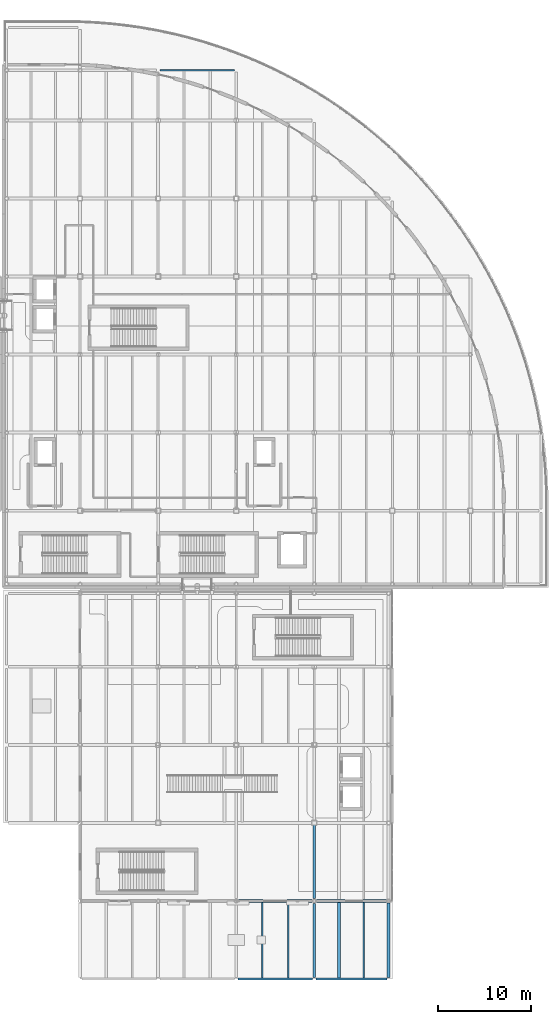
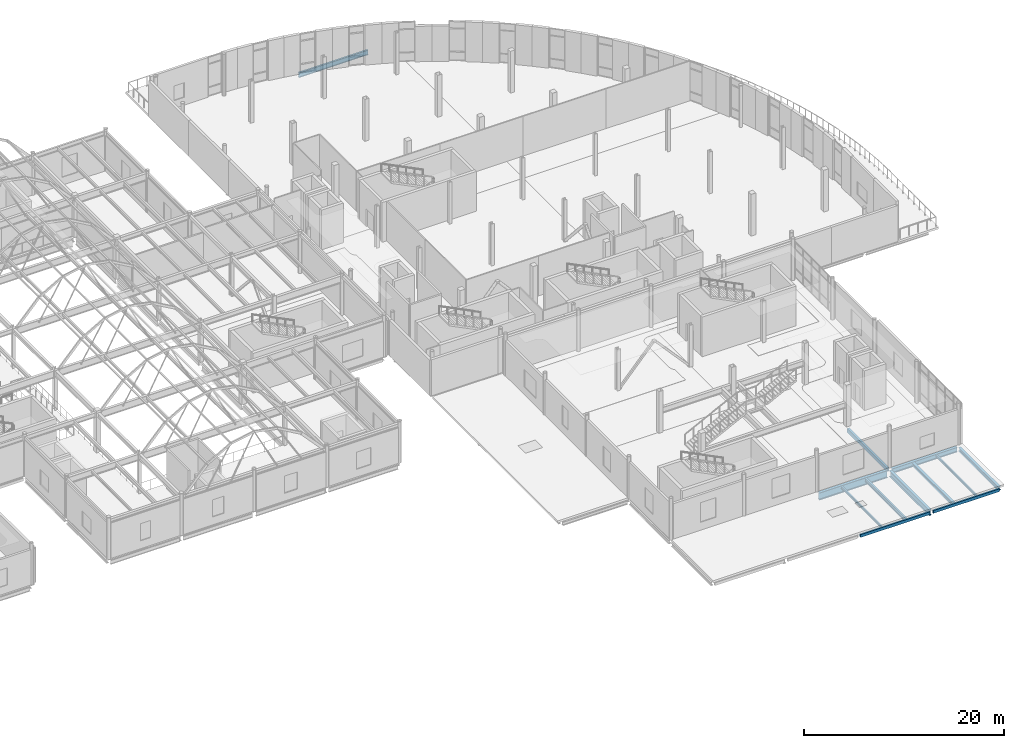
# One storey, part 38 of 103: 12 beams.
"""IFC4 building model written with IfcOpenShell, lengths in metres."""

from ifc_helpers import new_model, si_unit, direction, frame, origin, origin_2d, place, context, subcontext, project, spatial, hollow_rectangle, i_section, extrude, material, material_profile, profile_set, type_object, element, save


model = new_model("IFC4")

# Units and contexts
model_context = context("Model", 3, precision=1e-05, world=origin(), true_north=direction((0.0, 1.0)))
body_context = subcontext(model_context, "Body", "Model", "MODEL_VIEW")
ifc_project = project(units=[si_unit("LENGTHUNIT", "METRE"), si_unit("AREAUNIT", "SQUARE_METRE"), si_unit("VOLUMEUNIT", "CUBIC_METRE"), si_unit("PLANEANGLEUNIT", "RADIAN"), si_unit("MASSUNIT", "GRAM", prefix="KILO"), si_unit("THERMODYNAMICTEMPERATUREUNIT", "KELVIN")], contexts=[model_context])

# Site, building, storey
site_placement = place(None, origin())
site = spatial("IfcSite", under=ifc_project, at=site_placement, CompositionType="ELEMENT")
building_placement = place(site_placement, origin())
building = spatial("IfcBuilding", under=site, at=building_placement, Name="Lustrewick Department Store", CompositionType="ELEMENT")
storey_placement = place(building_placement, frame((0.0, 0.0, 16.5)))
storey = spatial("IfcBuildingStorey", under=building, at=storey_placement, Name="L04", CompositionType="ELEMENT", Elevation=16.5)

# Beams
ifc_material_1 = material(Name="Structural steel Q355B", Category="steel")
ifc_material_profile_1 = material_profile(ifc_material_1, i_section(OverallWidth=0.199951171875, OverallDepth=0.449951171875, WebThickness=0.009033203125, FlangeThickness=0.013916015625, FilletRadius=0.01611328125, at=origin_2d()), Name="HN 450x200x9x14")
ifc_profile_set_1 = profile_set([ifc_material_profile_1], Name="Structural steel Q355B")
beam_type_1 = type_object("IfcBeamType", Name="B03", PredefinedType="JOIST", material=ifc_profile_set_1)
beam_1_placement = place(storey_placement, frame((140.0, 8.5, -0.47998046875), z_axis=(0.0, 1.0, 0.0), x_axis=(-1.0, 0.0, 0.0)))
element("IfcBeam", 1, at=beam_1_placement, inside=storey, type_object=beam_type_1, Name="L04 V3 Secondary Joist B03", PredefinedType="JOIST", context=body_context, shape_type="SweptSolid", body=[
    extrude(i_section(OverallWidth=0.199951171875, OverallDepth=0.449951171875, WebThickness=0.009033203125, FlangeThickness=0.013916015625, FilletRadius=0.01611328125, at=origin_2d()), origin(), (0.0, 0.0, 1.0), 8.14990234375),
])
ifc_material_profile_2 = material_profile(ifc_material_1, i_section(OverallWidth=0.300048828125, OverallDepth=0.389892578125, WebThickness=0.010009765625, FlangeThickness=0.01611328125, FilletRadius=0.01806640625, at=origin_2d()), Name="HM 390x300x10x16")
ifc_profile_set_2 = profile_set([ifc_material_profile_2], Name="Structural steel Q355B")
beam_type_2 = type_object("IfcBeamType", Name="B07", PredefinedType="JOIST", material=ifc_profile_set_2)
beam_2_placement = place(storey_placement, frame((145.466796875, 8.5, -0.449951171875), z_axis=(0.0, 1.0, 0.0), x_axis=(-1.0, 0.0, 0.0)))
element("IfcBeam", 2, at=beam_2_placement, inside=storey, type_object=beam_type_2, Name="L04 V3 Secondary Joist B07", PredefinedType="JOIST", context=body_context, shape_type="SweptSolid", body=[
    extrude(i_section(OverallWidth=0.300048828125, OverallDepth=0.389892578125, WebThickness=0.010009765625, FlangeThickness=0.01611328125, FilletRadius=0.01806640625, at=origin_2d()), origin(), (0.0, 0.0, 1.0), 8.14990234375),
])
ifc_material_profile_3 = material_profile(ifc_material_1, i_section(OverallWidth=0.14990234375, OverallDepth=0.300048828125, WebThickness=0.006591796875, FlangeThickness=0.009033203125, FilletRadius=0.011962890625, at=origin_2d()), Name="HN 300x150x6.5x9")
ifc_profile_set_3 = profile_set([ifc_material_profile_3], Name="Structural steel Q355B")
beam_type_3 = type_object("IfcBeamType", Name="B11", PredefinedType="JOIST", material=ifc_profile_set_3)
beam_3_placement = place(storey_placement, frame((148.13330078125, 8.5, -0.405029296875), z_axis=(0.0, 1.0, 0.0), x_axis=(-1.0, 0.0, 0.0)))
element("IfcBeam", 3, at=beam_3_placement, inside=storey, type_object=beam_type_3, Name="L04 V3 Secondary Joist B11", PredefinedType="JOIST", context=body_context, shape_type="SweptSolid", body=[
    extrude(i_section(OverallWidth=0.14990234375, OverallDepth=0.300048828125, WebThickness=0.006591796875, FlangeThickness=0.009033203125, FilletRadius=0.011962890625, at=origin_2d()), origin(), (0.0, 0.0, 1.0), 8.14990234375),
])
ifc_material_profile_4 = material_profile(ifc_material_1, i_section(OverallWidth=0.14892578125, OverallDepth=0.298095703125, WebThickness=0.005615234375, FlangeThickness=0.008056640625, FilletRadius=0.011962890625, at=origin_2d()), Name="HN 298x149x5.5x8")
ifc_profile_set_4 = profile_set([ifc_material_profile_4], Name="Structural steel Q355B")
beam_type_4 = type_object("IfcBeamType", Name="B12", PredefinedType="JOIST", material=ifc_profile_set_4)
beam_4_placement = place(storey_placement, frame((137.199951171875, 8.5, -0.404052734375), z_axis=(0.0, 1.0, 0.0), x_axis=(-1.0, 0.0, 0.0)))
element("IfcBeam", 4, at=beam_4_placement, inside=storey, type_object=beam_type_4, Name="L04 V3 Secondary Joist B12", PredefinedType="JOIST", context=body_context, shape_type="SweptSolid", body=[
    extrude(i_section(OverallWidth=0.14892578125, OverallDepth=0.298095703125, WebThickness=0.005615234375, FlangeThickness=0.008056640625, FilletRadius=0.011962890625, at=origin_2d()), origin(), (0.0, 0.0, 1.0), 8.14990234375),
])
ifc_material_2 = material(Name="Structural steel Q355C", Category="steel")
ifc_material_profile_5 = material_profile(ifc_material_2, i_section(OverallWidth=0.300048828125, OverallDepth=0.89990234375, WebThickness=0.01611328125, FlangeThickness=0.028076171875, FilletRadius=0.02392578125, at=origin_2d()), Name="HN 900x300x16x28")
ifc_profile_set_5 = profile_set([ifc_material_profile_5], Name="Structural steel Q355C")
beam_type_5 = type_object("IfcBeamType", Name="G02", PredefinedType="BEAM", material=ifc_profile_set_5)
beam_5_placement = place(storey_placement, frame((134.64990234375, 16.800048828125, -0.705078125), z_axis=(1.0, 0.0, 0.0), x_axis=(0.0, 1.0, 0.0)))
element("IfcBeam", 5, at=beam_5_placement, inside=storey, type_object=beam_type_5, Name="L04 V3 Girder G02", PredefinedType="BEAM", context=body_context, shape_type="SweptSolid", body=[
    extrude(i_section(OverallWidth=0.300048828125, OverallDepth=0.89990234375, WebThickness=0.01611328125, FlangeThickness=0.028076171875, FilletRadius=0.02392578125, at=origin_2d()), origin(), (0.0, 0.0, 1.0), 7.900146484375),
])
ifc_material_profile_6 = material_profile(ifc_material_2, i_section(OverallWidth=0.302001953125, OverallDepth=0.7080078125, WebThickness=0.014892578125, FlangeThickness=0.028076171875, FilletRadius=0.02001953125, at=origin_2d()), Name="HN 708x302x15x28")
ifc_profile_set_6 = profile_set([ifc_material_profile_6], Name="Structural steel Q355C")
beam_type_6 = type_object("IfcBeamType", Name="G07", PredefinedType="BEAM", material=ifc_profile_set_6)
beam_6_placement = place(storey_placement, frame((142.800048828125, 8.58837890625, -0.60888671875), z_axis=(0.0, 1.0, 0.0), x_axis=(-1.0, 0.0, 0.0)))
element("IfcBeam", 6, at=beam_6_placement, inside=storey, type_object=beam_type_6, Name="L04 V3 Girder G07", PredefinedType="BEAM", context=body_context, shape_type="SweptSolid", body=[
    extrude(i_section(OverallWidth=0.302001953125, OverallDepth=0.7080078125, WebThickness=0.014892578125, FlangeThickness=0.028076171875, FilletRadius=0.02001953125, at=origin_2d()), origin(), (0.0, 0.0, 1.0), 7.961669921875),
])
ifc_material_profile_7 = material_profile(ifc_material_1, i_section(OverallWidth=0.300048828125, OverallDepth=0.587890625, WebThickness=0.011962890625, FlangeThickness=0.02001953125, FilletRadius=0.02392578125, at=origin_2d()), Name="HM 588x300x12x20")
ifc_profile_set_7 = profile_set([ifc_material_profile_7], Name="Structural steel Q355B")
beam_type_7 = type_object("IfcBeamType", Name="G11", PredefinedType="BEAM", material=ifc_profile_set_7)
beam_7_placement = place(storey_placement, frame((143.050048828125, 16.800048828125, -0.549072265625), z_axis=(1.0, 0.0, 0.0), x_axis=(0.0, 1.0, 0.0)))
element("IfcBeam", 7, at=beam_7_placement, inside=storey, type_object=beam_type_7, Name="L04 V3 Girder G11", PredefinedType="BEAM", context=body_context, shape_type="SweptSolid", body=[
    extrude(i_section(OverallWidth=0.300048828125, OverallDepth=0.587890625, WebThickness=0.011962890625, FlangeThickness=0.02001953125, FilletRadius=0.02392578125, at=origin_2d()), origin(), (0.0, 0.0, 1.0), 7.546875),
])
ifc_material_profile_8 = material_profile(ifc_material_1, i_section(OverallWidth=0.198974609375, OverallDepth=0.595947265625, WebThickness=0.010009765625, FlangeThickness=0.014892578125, FilletRadius=0.01806640625, at=origin_2d()), Name="HN 596x199x10x15")
ifc_profile_set_8 = profile_set([ifc_material_profile_8], Name="Structural steel Q355B")
beam_type_8 = type_object("IfcBeamType", Name="G15", PredefinedType="BEAM", material=ifc_profile_set_8)
beam_8_placement = place(storey_placement, frame((126.200927734375, 106.199951171875, -0.552978515625), z_axis=(1.0, 0.0, 0.0), x_axis=(0.0, 1.0, 0.0)))
element("IfcBeam", 8, at=beam_8_placement, inside=storey, type_object=beam_type_8, Name="L04 V4 Girder G15", PredefinedType="BEAM", context=body_context, shape_type="SweptSolid", body=[
    extrude(i_section(OverallWidth=0.198974609375, OverallDepth=0.595947265625, WebThickness=0.010009765625, FlangeThickness=0.014892578125, FilletRadius=0.01806640625, at=origin_2d()), origin(), (0.0, 0.0, 1.0), 7.998046875),
])
ifc_material_profile_9 = material_profile(ifc_material_2, hollow_rectangle(XDim=0.25, YDim=0.449951171875, WallThickness=0.013916015625, at=origin_2d()), Name="RHS 450x250x14")
ifc_profile_set_9 = profile_set([ifc_material_profile_9], Name="Structural steel Q355C")
beam_type_9 = type_object("IfcBeamType", Name="G18", PredefinedType="BEAM", material=ifc_profile_set_9)
beam_9_placement = place(storey_placement, frame((142.800048828125, 17.050048828125, -0.47998046875), z_axis=(0.0, 1.0, 0.0), x_axis=(-1.0, 0.0, 0.0)))
element("IfcBeam", 9, at=beam_9_placement, inside=storey, type_object=beam_type_9, Name="L04 V3 Girder G18", PredefinedType="BEAM", context=body_context, shape_type="SweptSolid", body=[
    extrude(hollow_rectangle(XDim=0.25, YDim=0.449951171875, WallThickness=0.013916015625, at=origin_2d()), origin(), (0.0, 0.0, 1.0), 7.974853515625),
])
ifc_material_profile_10 = material_profile(ifc_material_1, i_section(OverallWidth=0.300048828125, OverallDepth=0.43994140625, WebThickness=0.010986328125, FlangeThickness=0.01806640625, FilletRadius=0.02001953125, at=origin_2d()), Name="HM 440x300x11x18")
ifc_profile_set_10 = profile_set([ifc_material_profile_10], Name="Structural steel Q355B")
beam_type_10 = type_object("IfcBeamType", Name="SP02", PredefinedType="SPANDREL", material=ifc_profile_set_10)
beam_10_placement = place(storey_placement, frame((150.800048828125, 8.58837890625, -0.47509765625), z_axis=(0.0, 1.0, 0.0), x_axis=(-1.0, 0.0, 0.0)))
element("IfcBeam", 10, at=beam_10_placement, inside=storey, type_object=beam_type_10, Name="L04 V3 Girder SP02", PredefinedType="SPANDREL", context=body_context, shape_type="SweptSolid", body=[
    extrude(i_section(OverallWidth=0.300048828125, OverallDepth=0.43994140625, WebThickness=0.010986328125, FlangeThickness=0.01806640625, FilletRadius=0.02001953125, at=origin_2d()), origin(), (0.0, 0.0, 1.0), 8.008544921875),
])
ifc_material_profile_11 = material_profile(ifc_material_2, hollow_rectangle(XDim=0.199951171875, YDim=0.35009765625, WallThickness=0.011962890625, at=origin_2d()), Name="RHS 350x200x12")
ifc_profile_set_11 = profile_set([ifc_material_profile_11], Name="Structural steel Q355C")
beam_type_11 = type_object("IfcBeamType", Name="SP03", PredefinedType="SPANDREL", material=ifc_profile_set_11)
beam_11_placement = place(storey_placement, frame((134.58837890625, 8.39990234375, -0.429931640625), z_axis=(1.0, 0.0, 0.0), x_axis=(0.0, 1.0, 0.0)))
element("IfcBeam", 11, at=beam_11_placement, inside=storey, type_object=beam_type_11, Name="L04 V3 Girder SP03", PredefinedType="SPANDREL", context=body_context, shape_type="SweptSolid", body=[
    extrude(hollow_rectangle(XDim=0.199951171875, YDim=0.35009765625, WallThickness=0.011962890625, at=origin_2d()), origin(), (0.0, 0.0, 1.0), 8.023193359375),
])
beam_12_placement = place(storey_placement, frame((142.988525390625, 8.39990234375, -0.429931640625), z_axis=(1.0, 0.0, 0.0), x_axis=(0.0, 1.0, 0.0)))
element("IfcBeam", 12, at=beam_12_placement, inside=storey, type_object=beam_type_11, Name="L04 V3 Girder SP03", PredefinedType="SPANDREL", context=body_context, shape_type="SweptSolid", body=[
    extrude(hollow_rectangle(XDim=0.199951171875, YDim=0.35009765625, WallThickness=0.011962890625, at=origin_2d()), origin(), (0.0, 0.0, 1.0), 7.623046875),
])

save(model, "model.ifc")
